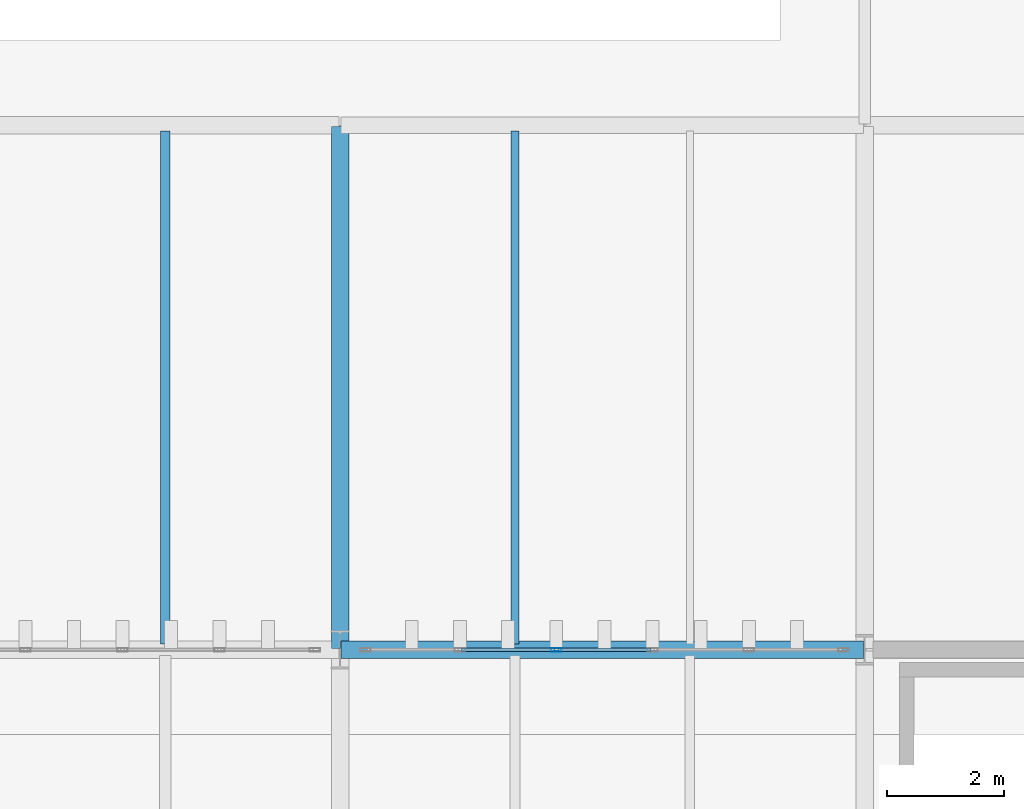
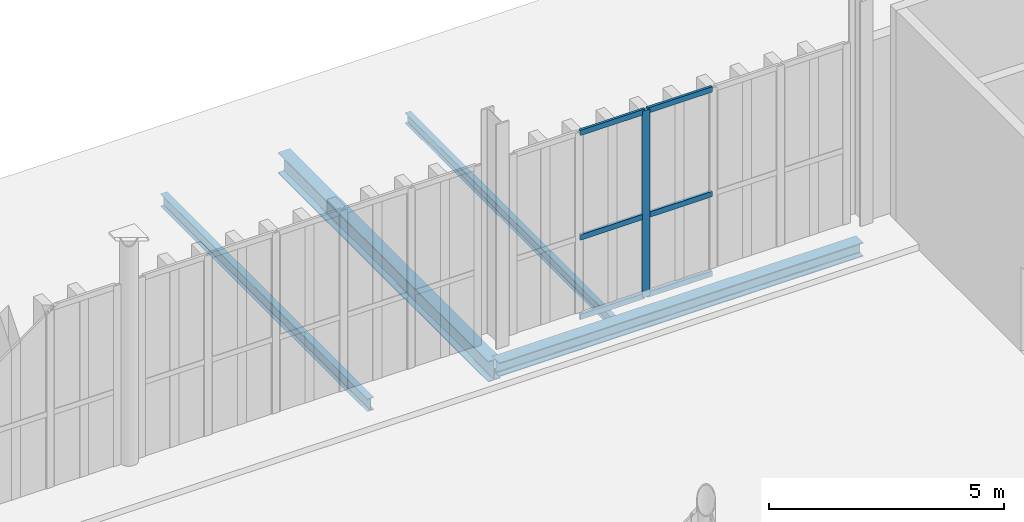
# One storey, part 157 of 237: 7 members, 4 beams, 1 element without a shape of its own.
"""IFC4 building model written with IfcOpenShell, lengths in metres."""

from ifc_helpers import new_model, si_unit, direction, frame, origin, origin_2d, place, context, subcontext, project, spatial, hollow_rectangle, i_section, extrude, material, layer, layer_set, material_profile, profile_set, type_object, element, aggregate, save


model = new_model("IFC4")

# Units and contexts
model_context = context("Model", 3, precision=1e-05, world=origin(), true_north=direction((0.0, 1.0)))
body_context = subcontext(model_context, "Body", "Model", "MODEL_VIEW")
ifc_project = project(units=[si_unit("LENGTHUNIT", "METRE"), si_unit("AREAUNIT", "SQUARE_METRE"), si_unit("VOLUMEUNIT", "CUBIC_METRE"), si_unit("PLANEANGLEUNIT", "RADIAN"), si_unit("MASSUNIT", "GRAM", prefix="KILO")], contexts=[model_context])

# Site, building, storey
site_placement = place(None, origin())
site = spatial("IfcSite", under=ifc_project, at=site_placement, CompositionType="ELEMENT")
building_placement = place(site_placement, origin())
building = spatial("IfcBuilding", under=site, at=building_placement, Name="Barlavento Convention Centre", CompositionType="ELEMENT")
storey_placement = place(building_placement, frame((0.0, 0.0, 12.0)))
storey = spatial("IfcBuildingStorey", under=building, at=storey_placement, Name="L02", CompositionType="ELEMENT", Elevation=12.0)

# Curtain wall, members
ifc_material_1 = material(Name="Powder-coated aluminium and Low-E glass", Category="aluminium")
ifc_layer = layer(ifc_material_1, 0.195068359375)
ifc_layer_set = layer_set([ifc_layer], Name="ARC-CW-BALL-L02")
curtain_wall_type = type_object("IfcCurtainWallType", Name="ARC-CW-BALL-L02", PredefinedType="NOTDEFINED", material=ifc_layer_set)
curtain_wall_placement = place(storey_placement, origin())
curtain_wall = element("IfcCurtainWall", 1, at=curtain_wall_placement, inside=storey, type_object=curtain_wall_type, Name="L02 unitised curtain wall CW07", PredefinedType="NOTDEFINED")
ifc_material_2 = material(Name="Powder-coated aluminium", Category="aluminium")
ifc_material_profile_1 = material_profile(ifc_material_2, hollow_rectangle(XDim=0.06005859375, YDim=0.179931640625, WallThickness=0.0048828125, at=origin_2d()), Name="AL-MULL 60x180x5")
ifc_profile_set_1 = profile_set([ifc_material_profile_1], Name="Powder-coated aluminium")
member_type_1 = type_object("IfcMemberType", Name="ARC-CWM-60X180", PredefinedType="MULLION", material=ifc_profile_set_1)
member_1_placement = place(storey_placement, frame((174.709716796875, 99.0, 0.0), z_axis=(0.0, 0.0, 1.0), x_axis=(0.0, 1.0, 0.0)))
member_1 = element("IfcMember", 2, at=member_1_placement, type_object=member_type_1, Name="CW07 mullion 3", PredefinedType="MULLION", context=body_context, shape_type="SweptSolid", body=[
    extrude(hollow_rectangle(XDim=0.06005859375, YDim=0.179931640625, WallThickness=0.0048828125, at=origin_2d()), origin(), (0.0, 0.0, 1.0), 4.85009765625),
])
ifc_material_profile_2 = material_profile(ifc_material_2, hollow_rectangle(XDim=0.06005859375, YDim=0.139892578125, WallThickness=0.00390625, at=origin_2d()), Name="AL-TRAN 60x140x4")
ifc_profile_set_2 = profile_set([ifc_material_profile_2], Name="Powder-coated aluminium")
member_type_2 = type_object("IfcMemberType", Name="ARC-CWT-60X140", PredefinedType="USERDEFINED", material=ifc_profile_set_2)
member_2_placement = place(storey_placement, frame((173.0869140625, 99.0, 0.030029296875), z_axis=(1.0, 0.0, 0.0), x_axis=(0.0, 1.0, 0.0)))
member_2 = element("IfcMember", 3, at=member_2_placement, type_object=member_type_2, Name="CW07 transom 2.1", ObjectType="TRANSOM", PredefinedType="USERDEFINED", context=body_context, shape_type="SweptSolid", body=[
    extrude(hollow_rectangle(XDim=0.06005859375, YDim=0.139892578125, WallThickness=0.00390625, at=origin_2d()), origin(), (0.0, 0.0, 1.0), 1.5927734375),
])
member_3_placement = place(storey_placement, frame((173.0869140625, 99.0, 2.10009765625), z_axis=(1.0, 0.0, 0.0), x_axis=(0.0, 1.0, 0.0)))
member_3 = element("IfcMember", 4, at=member_3_placement, type_object=member_type_2, Name="CW07 transom 2.2", ObjectType="TRANSOM", PredefinedType="USERDEFINED", context=body_context, shape_type="SweptSolid", body=[
    extrude(hollow_rectangle(XDim=0.06005859375, YDim=0.139892578125, WallThickness=0.00390625, at=origin_2d()), origin(), (0.0, 0.0, 1.0), 1.5927734375),
])
member_4_placement = place(storey_placement, frame((173.0869140625, 99.0, 4.820068359375), z_axis=(1.0, 0.0, 0.0), x_axis=(0.0, 1.0, 0.0)))
member_4 = element("IfcMember", 5, at=member_4_placement, type_object=member_type_2, Name="CW07 transom 2.3", ObjectType="TRANSOM", PredefinedType="USERDEFINED", context=body_context, shape_type="SweptSolid", body=[
    extrude(hollow_rectangle(XDim=0.06005859375, YDim=0.139892578125, WallThickness=0.00390625, at=origin_2d()), origin(), (0.0, 0.0, 1.0), 1.5927734375),
])
member_5_placement = place(storey_placement, frame((174.739501953125, 99.0, 0.030029296875), z_axis=(1.0, 0.0, 0.0), x_axis=(0.0, 1.0, 0.0)))
member_5 = element("IfcMember", 6, at=member_5_placement, type_object=member_type_2, Name="CW07 transom 3.1", ObjectType="TRANSOM", PredefinedType="USERDEFINED", context=body_context, shape_type="SweptSolid", body=[
    extrude(hollow_rectangle(XDim=0.06005859375, YDim=0.139892578125, WallThickness=0.00390625, at=origin_2d()), origin(), (0.0, 0.0, 1.0), 1.593017578125),
])
member_6_placement = place(storey_placement, frame((174.739501953125, 99.0, 2.10009765625), z_axis=(1.0, 0.0, 0.0), x_axis=(0.0, 1.0, 0.0)))
member_6 = element("IfcMember", 7, at=member_6_placement, type_object=member_type_2, Name="CW07 transom 3.2", ObjectType="TRANSOM", PredefinedType="USERDEFINED", context=body_context, shape_type="SweptSolid", body=[
    extrude(hollow_rectangle(XDim=0.06005859375, YDim=0.139892578125, WallThickness=0.00390625, at=origin_2d()), origin(), (0.0, 0.0, 1.0), 1.593017578125),
])
member_7_placement = place(storey_placement, frame((174.739501953125, 99.0, 4.820068359375), z_axis=(1.0, 0.0, 0.0), x_axis=(0.0, 1.0, 0.0)))
member_7 = element("IfcMember", 8, at=member_7_placement, type_object=member_type_2, Name="CW07 transom 3.3", ObjectType="TRANSOM", PredefinedType="USERDEFINED", context=body_context, shape_type="SweptSolid", body=[
    extrude(hollow_rectangle(XDim=0.06005859375, YDim=0.139892578125, WallThickness=0.00390625, at=origin_2d()), origin(), (0.0, 0.0, 1.0), 1.593017578125),
])
aggregate(curtain_wall, [member_1, member_2, member_3, member_4, member_5, member_6, member_7])

# Beams
ifc_material_3 = material(Name="Steel S355", Category="steel")
ifc_material_profile_3 = material_profile(ifc_material_3, i_section(OverallWidth=0.135009765625, OverallDepth=0.27001953125, WebThickness=0.006591796875, FlangeThickness=0.01025390625, FilletRadius=0.014892578125, at=origin_2d()), Name="IPE 270")
ifc_profile_set_3 = profile_set([ifc_material_profile_3], Name="Steel S355")
beam_type_1 = type_object("IfcBeamType", Name="STR-BM-JST-IPE270", PredefinedType="JOIST", material=ifc_profile_set_3)
beam_1_placement = place(storey_placement, frame((174.0, 99.094970703125, -0.5), z_axis=(0.0, 1.0, 0.0), x_axis=(-1.0, 0.0, 0.0)))
element("IfcBeam", 9, at=beam_1_placement, inside=storey, type_object=beam_type_1, Name="L02 composite floor joist SJ08", PredefinedType="JOIST", context=body_context, shape_type="SweptSolid", body=[
    extrude(i_section(OverallWidth=0.135009765625, OverallDepth=0.27001953125, WebThickness=0.006591796875, FlangeThickness=0.01025390625, FilletRadius=0.014892578125, at=origin_2d()), origin(), (0.0, 0.0, 1.0), 8.81005859375),
])
ifc_material_profile_4 = material_profile(ifc_material_3, i_section(OverallWidth=0.159912109375, OverallDepth=0.330078125, WebThickness=0.007568359375, FlangeThickness=0.011474609375, FilletRadius=0.01806640625, at=origin_2d()), Name="IPE 330")
ifc_profile_set_4 = profile_set([ifc_material_profile_4], Name="Steel S355")
beam_type_2 = type_object("IfcBeamType", Name="STR-BM-JST-IPE330", PredefinedType="JOIST", material=ifc_profile_set_4)
beam_2_placement = place(storey_placement, frame((168.0, 99.094970703125, -0.530029296875), z_axis=(0.0, 1.0, 0.0), x_axis=(-1.0, 0.0, 0.0)))
element("IfcBeam", 10, at=beam_2_placement, inside=storey, type_object=beam_type_2, Name="L02 composite floor joist SJ06", PredefinedType="JOIST", context=body_context, shape_type="SweptSolid", body=[
    extrude(i_section(OverallWidth=0.159912109375, OverallDepth=0.330078125, WebThickness=0.007568359375, FlangeThickness=0.011474609375, FilletRadius=0.01806640625, at=origin_2d()), origin(), (0.0, 0.0, 1.0), 8.81005859375),
])
ifc_material_profile_5 = material_profile(ifc_material_3, i_section(OverallWidth=0.300048828125, OverallDepth=0.5400390625, WebThickness=0.012451171875, FlangeThickness=0.02392578125, FilletRadius=0.027099609375, at=origin_2d()), Name="HEA 550")
ifc_profile_set_5 = profile_set([ifc_material_profile_5], Name="Steel S355")
beam_type_3 = type_object("IfcBeamType", Name="STR-BM-PRI-HEA550", PredefinedType="BEAM", material=ifc_profile_set_5)
beam_3_placement = place(storey_placement, frame((171.0, 99.02001953125, -0.635009765625), z_axis=(0.0, 1.0, 0.0), x_axis=(-1.0, 0.0, 0.0)))
element("IfcBeam", 11, at=beam_3_placement, inside=storey, type_object=beam_type_3, Name="L02 grid girder BG19", PredefinedType="BEAM", context=body_context, shape_type="SweptSolid", body=[
    extrude(i_section(OverallWidth=0.300048828125, OverallDepth=0.5400390625, WebThickness=0.012451171875, FlangeThickness=0.02392578125, FilletRadius=0.027099609375, at=origin_2d()), origin(), (0.0, 0.0, 1.0), 8.9599609375),
])
ifc_material_profile_6 = material_profile(ifc_material_3, i_section(OverallWidth=0.300048828125, OverallDepth=0.360107421875, WebThickness=0.012451171875, FlangeThickness=0.0224609375, FilletRadius=0.027099609375, at=origin_2d()), Name="HEB 360")
ifc_profile_set_6 = profile_set([ifc_material_profile_6], Name="Steel S355")
beam_type_4 = type_object("IfcBeamType", Name="STR-BM-PRI-HEB360", PredefinedType="BEAM", material=ifc_profile_set_6)
beam_4_placement = place(storey_placement, frame((171.02001953125, 99.0, -0.544921875), z_axis=(1.0, 0.0, 0.0), x_axis=(0.0, 1.0, 0.0)))
element("IfcBeam", 12, at=beam_4_placement, inside=storey, type_object=beam_type_4, Name="L02 primary girder BG12", PredefinedType="BEAM", context=body_context, shape_type="SweptSolid", body=[
    extrude(i_section(OverallWidth=0.300048828125, OverallDepth=0.360107421875, WebThickness=0.012451171875, FlangeThickness=0.0224609375, FilletRadius=0.027099609375, at=origin_2d()), origin(), (0.0, 0.0, 1.0), 8.9599609375),
])

save(model, "model.ifc")
